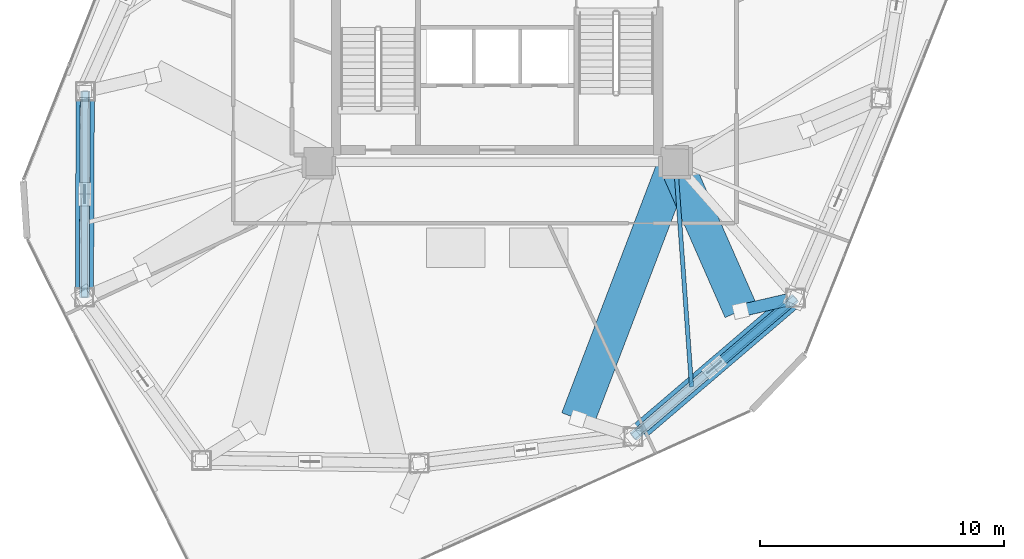
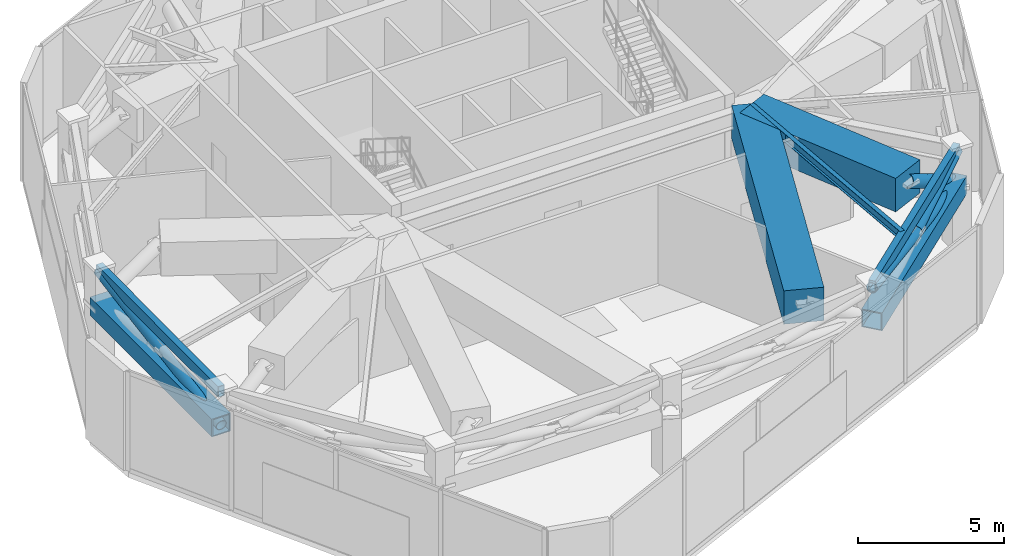
# One storey, part 6 of 21: 6 members, 5 beams.
"""IFC4 building model written with IfcOpenShell, lengths in metres."""

from ifc_helpers import new_model, si_unit, direction, frame, origin, origin_2d, place, context, subcontext, project, spatial, rectangle, hollow_rectangle, hollow_circle, i_section, extrude, source, transform, mapped, material, material_profile, profile_set, type_object, type_shapes, element, save


model = new_model("IFC4")

# Units and contexts
model_context = context("Model", 3, precision=1e-05, world=origin(), true_north=direction((0.0, 1.0)))
body_context = subcontext(model_context, "Body", "Model", "MODEL_VIEW")
ifc_project = project(units=[si_unit("LENGTHUNIT", "METRE"), si_unit("AREAUNIT", "SQUARE_METRE"), si_unit("VOLUMEUNIT", "CUBIC_METRE"), si_unit("PLANEANGLEUNIT", "RADIAN"), si_unit("MASSUNIT", "GRAM", prefix="KILO")], contexts=[model_context])

# Site, building, storey
site_placement = place(None, origin())
site = spatial("IfcSite", under=ifc_project, at=site_placement, CompositionType="ELEMENT")
building_placement = place(site_placement, origin())
building = spatial("IfcBuilding", under=site, at=building_placement, Name="Talar Marvaseh", CompositionType="ELEMENT")
storey_placement = place(building_placement, frame((0.0, 0.0, 162.39990234375)))
storey = spatial("IfcBuildingStorey", under=building, at=storey_placement, Name="L42", CompositionType="ELEMENT", Elevation=162.39990234375)

# Beams
ifc_material_1 = material(Name="Concrete C70/85", Category="concrete")
ifc_material_profile_1 = material_profile(ifc_material_1, rectangle(XDim=1.39990234375, YDim=1.39990234375, at=origin_2d()), Name="RC1400x1400")
ifc_profile_set_1 = profile_set([ifc_material_profile_1], Name="Concrete C70/85")
beam_type_1 = type_object("IfcBeamType", Name="Setback Deep Concrete Transfer Girder RC1400x1400", PredefinedType="BEAM", material=ifc_profile_set_1)
beam_1_placement = place(storey_placement, frame((35.970947265625, 19.423095703125, 3.4501953125), z_axis=(-0.402367581672, 0.91547819702, 0.0), x_axis=(-0.91547819702, -0.402367581672, 0.0)))
element("IfcBeam", 1, at=beam_1_placement, inside=storey, type_object=beam_type_1, Name="L42 Setback Backspan Transfer Girder 5", PredefinedType="BEAM", context=body_context, shape_type="SweptSolid", body=[
    extrude(rectangle(XDim=1.39990234375, YDim=1.39990234375, at=origin_2d()), origin(), (0.0, 0.0, 1.0), 6.637939453125),
])
beam_2_placement = place(storey_placement, frame((29.299072265625, 14.993896484375, 3.4501953125), z_axis=(0.355890569952, 0.934527635878, 0.0), x_axis=(-0.934527635878, 0.355890569952, 0.0)))
element("IfcBeam", 2, at=beam_2_placement, inside=storey, type_object=beam_type_1, Name="L42 Setback Backspan Transfer Girder 6", PredefinedType="BEAM", context=body_context, shape_type="SweptSolid", body=[
    extrude(rectangle(XDim=1.39990234375, YDim=1.39990234375, at=origin_2d()), origin(), (0.0, 0.0, 1.0), 11.2421875),
])
ifc_material_2 = material(Name="Steel S355", Category="steel")
ifc_material_profile_2 = material_profile(ifc_material_2, hollow_rectangle(XDim=0.25, YDim=0.449951171875, WallThickness=0.01611328125, at=origin_2d()), Name="RHS450x250x16")
ifc_profile_set_2 = profile_set([ifc_material_profile_2], Name="Steel S355")
beam_type_2 = type_object("IfcBeamType", Name="Zone 2 Perimeter Spandrel Beam RHS450x250x16", PredefinedType="SPANDREL", material=ifc_profile_set_2)
beam_3_placement = place(storey_placement, frame((38.2060546875, 19.94091796875, 3.925048828125), z_axis=(-0.76011265597, -0.649791312833, 0.0), x_axis=(0.649791312833, -0.76011265597, 0.0)))
element("IfcBeam", 3, at=beam_3_placement, inside=storey, type_object=beam_type_2, Name="L42 Zone 2 Perimeter Spandrel Beam RHS450x250x16", PredefinedType="SPANDREL", context=body_context, shape_type="SweptSolid", body=[
    extrude(hollow_rectangle(XDim=0.25, YDim=0.449951171875, WallThickness=0.01611328125, at=origin_2d()), origin(), (0.0, 0.0, 1.0), 8.730224609375),
])
beam_4_placement = place(storey_placement, frame((9.10107421875, 19.97705078125, 3.925048828125), z_axis=(0.004375628226, 0.999990426893, 0.0), x_axis=(-0.999990426893, 0.004375628226, 0.0)))
element("IfcBeam", 4, at=beam_4_placement, inside=storey, type_object=beam_type_2, Name="L42 Zone 2 Perimeter Spandrel Beam RHS450x250x16", PredefinedType="SPANDREL", context=body_context, shape_type="SweptSolid", body=[
    extrude(hollow_rectangle(XDim=0.25, YDim=0.449951171875, WallThickness=0.01611328125, at=origin_2d()), origin(), (0.0, 0.0, 1.0), 8.425048828125),
])
ifc_material_profile_3 = material_profile(ifc_material_2, i_section(OverallWidth=0.172119140625, OverallDepth=0.35791015625, WebThickness=0.0078125, FlangeThickness=0.01318359375, at=origin_2d()), Name="W360x57")
ifc_profile_set_3 = profile_set([ifc_material_profile_3], Name="Steel S355")
beam_type_3 = type_object("IfcBeamType", Name="Zone 2 Secondary Floor Joist W360x57", PredefinedType="JOIST", material=ifc_profile_set_3)
beam_5_placement = place(storey_placement, frame((33.958984375, 16.310302734375, 3.97119140625), z_axis=(-0.071520105424, 0.997439158305, 0.0), x_axis=(-0.997439158305, -0.071520105424, 0.0)))
element("IfcBeam", 5, at=beam_5_placement, inside=storey, type_object=beam_type_3, Name="L42 Zone 2 Secondary Floor Joist W360x57", PredefinedType="JOIST", context=body_context, shape_type="SweptSolid", body=[
    extrude(i_section(OverallWidth=0.172119140625, OverallDepth=0.35791015625, WebThickness=0.0078125, FlangeThickness=0.01318359375, at=origin_2d()), origin(), (0.0, 0.0, 1.0), 9.21337890625),
])

# Members
ifc_material_3 = material(Name="Steel S460", Category="steel")
ifc_material_profile_4 = material_profile(ifc_material_3, hollow_circle(Radius=0.25390625, WallThickness=0.02001953125, at=origin_2d()), Name="CHS508x20")
ifc_profile_set_4 = profile_set([ifc_material_profile_4], Name="Steel S460")
member_type_1 = type_object("IfcMemberType", Name="Crown Frame Diagonal Brace CHS508x20", PredefinedType="BRACE", material=ifc_profile_set_4)
shared_shape_1 = source(origin(), body_context, "Body", "SweptSolid", [
    extrude(hollow_circle(Radius=0.25390625, WallThickness=0.02001953125, at=origin_2d()), origin(), (0.0, 0.0, 1.0), 2.54443359375),
])
type_shapes(member_type_1, [shared_shape_1])
member_1_placement = place(storey_placement, frame((38.2060546875, 19.94091796875, 2.550048828125), z_axis=(-0.878435832113, -0.203513096659, 0.432357384981), x_axis=(0.225698758806, -0.97419714138, 0.0)))
element("IfcMember", 6, at=member_1_placement, inside=storey, type_object=member_type_1, Name="L42 Setback Transfer Raked Strut 5", PredefinedType="BRACE", context=body_context, shape_type="MappedRepresentation", body=[
    mapped(shared_shape_1, transform((0.0, 0.0, 0.0), x_axis=(1.0, 0.0, 0.0), y_axis=(0.0, 1.0, 0.0), z_axis=(0.0, 0.0, 1.0), scale=1.0)),
])
ifc_material_profile_5 = material_profile(ifc_material_3, hollow_rectangle(XDim=0.75, YDim=0.75, WallThickness=0.0400390625, at=origin_2d()), Name="BOX750x750x40")
ifc_profile_set_5 = profile_set([ifc_material_profile_5], Name="Steel S460")
member_type_2 = type_object("IfcMemberType", Name="Belt Truss Chord Member BOX750x750x40", PredefinedType="CHORD", material=ifc_profile_set_5)
shared_shape_2 = source(origin(), body_context, "Body", "SweptSolid", [
    extrude(hollow_rectangle(XDim=0.75, YDim=0.75, WallThickness=0.0400390625, at=origin_2d()), origin(), (0.0, 0.0, 1.0), 8.730224609375),
])
member_2_placement = place(storey_placement, frame((38.2060546875, 19.94091796875, 2.5), z_axis=(-0.76011265597, -0.649791312833, 0.0), x_axis=(0.649791312833, -0.76011265597, 0.0)))
element("IfcMember", 7, at=member_2_placement, inside=storey, type_object=member_type_2, Name="L42 Belt Truss Bottom Chord 4", PredefinedType="CHORD", context=body_context, shape_type="MappedRepresentation", body=[
    mapped(shared_shape_2, transform((0.0, 0.0, 0.0), x_axis=(1.0, 0.0, 0.0), y_axis=(0.0, 1.0, 0.0), z_axis=(0.0, 0.0, 1.0), scale=1.0)),
])
ifc_material_profile_6 = material_profile(ifc_material_3, hollow_circle(Radius=0.203125, WallThickness=0.01611328125, at=origin_2d()), Name="CHS406x16")
ifc_profile_set_6 = profile_set([ifc_material_profile_6], Name="Steel S460")
member_type_3 = type_object("IfcMemberType", Name="Belt Truss Diagonal Brace CHS406x16", PredefinedType="BRACE", material=ifc_profile_set_6)
shared_shape_3 = source(origin(), body_context, "Body", "SweptSolid", [
    extrude(hollow_circle(Radius=0.203125, WallThickness=0.01611328125, at=origin_2d()), origin(), (0.0, 0.0, 1.0), 8.833984375),
])
member_3_placement = place(storey_placement, frame((38.2060546875, 19.94091796875, 2.5), z_axis=(-0.751183350082, -0.642157989865, 0.152828958683), x_axis=(0.649791312833, -0.76011265597, 0.0)))
element("IfcMember", 8, at=member_3_placement, inside=storey, type_object=member_type_3, Name="L42 Belt Truss Continuous Diagonal 4", PredefinedType="BRACE", context=body_context, shape_type="MappedRepresentation", body=[
    mapped(shared_shape_3, transform((0.0, 0.0, 0.0), x_axis=(1.0, 0.0, 0.0), y_axis=(0.0, 1.0, 0.0), z_axis=(0.0, 0.0, 1.0), scale=1.0)),
])
shared_shape_4 = source(origin(), body_context, "Body", "SweptSolid", [
    extrude(hollow_circle(Radius=0.203125, WallThickness=0.01611328125, at=origin_2d()), origin(), (0.0, 0.0, 1.0), 4.177001953125),
])
member_4_placement = place(storey_placement, frame((35.068359375, 17.258544921875, 3.2119140625), z_axis=(0.751179497036, 0.642173135227, 0.152784251887), x_axis=(-0.649802092963, 0.760103440317, 0.0)))
element("IfcMember", 9, at=member_4_placement, inside=storey, type_object=member_type_3, Name="L42 Belt Truss Split Diagonal Upper 4", PredefinedType="BRACE", context=body_context, shape_type="MappedRepresentation", body=[
    mapped(shared_shape_4, transform((0.0, 0.0, 0.0), x_axis=(1.0, 0.0, 0.0), y_axis=(0.0, 1.0, 0.0), z_axis=(0.0, 0.0, 1.0), scale=1.0)),
])
shared_shape_5 = source(origin(), body_context, "Body", "SweptSolid", [
    extrude(hollow_rectangle(XDim=0.75, YDim=0.75, WallThickness=0.0400390625, at=origin_2d()), origin(), (0.0, 0.0, 1.0), 8.425048828125),
])
type_shapes(member_type_2, [shared_shape_2, shared_shape_5])
member_5_placement = place(storey_placement, frame((9.10107421875, 19.97705078125, 2.5), z_axis=(0.004375628226, 0.999990426893, 0.0), x_axis=(-0.999990426893, 0.004375628226, 0.0)))
element("IfcMember", 10, at=member_5_placement, inside=storey, type_object=member_type_2, Name="L42 Belt Truss Bottom Chord 8", PredefinedType="CHORD", context=body_context, shape_type="MappedRepresentation", body=[
    mapped(shared_shape_5, transform((0.0, 0.0, 0.0), x_axis=(1.0, 0.0, 0.0), y_axis=(0.0, 1.0, 0.0), z_axis=(0.0, 0.0, 1.0), scale=1.0)),
])
shared_shape_6 = source(origin(), body_context, "Body", "SweptSolid", [
    extrude(hollow_circle(Radius=0.203125, WallThickness=0.01611328125, at=origin_2d()), origin(), (0.0, 0.0, 1.0), 8.53271484375),
])
type_shapes(member_type_3, [shared_shape_3, shared_shape_4, shared_shape_6])
member_6_placement = place(storey_placement, frame((9.10107421875, 19.97705078125, 2.5), z_axis=(0.004320506817, 0.98739317714, 0.158227832437), x_axis=(-0.999990426893, 0.004375628226, 0.0)))
element("IfcMember", 11, at=member_6_placement, inside=storey, type_object=member_type_3, Name="L42 Belt Truss Continuous Diagonal 8", PredefinedType="BRACE", context=body_context, shape_type="MappedRepresentation", body=[
    mapped(shared_shape_6, transform((0.0, 0.0, 0.0), x_axis=(1.0, 0.0, 0.0), y_axis=(0.0, 1.0, 0.0), z_axis=(0.0, 0.0, 1.0), scale=1.0)),
])

save(model, "model.ifc")
